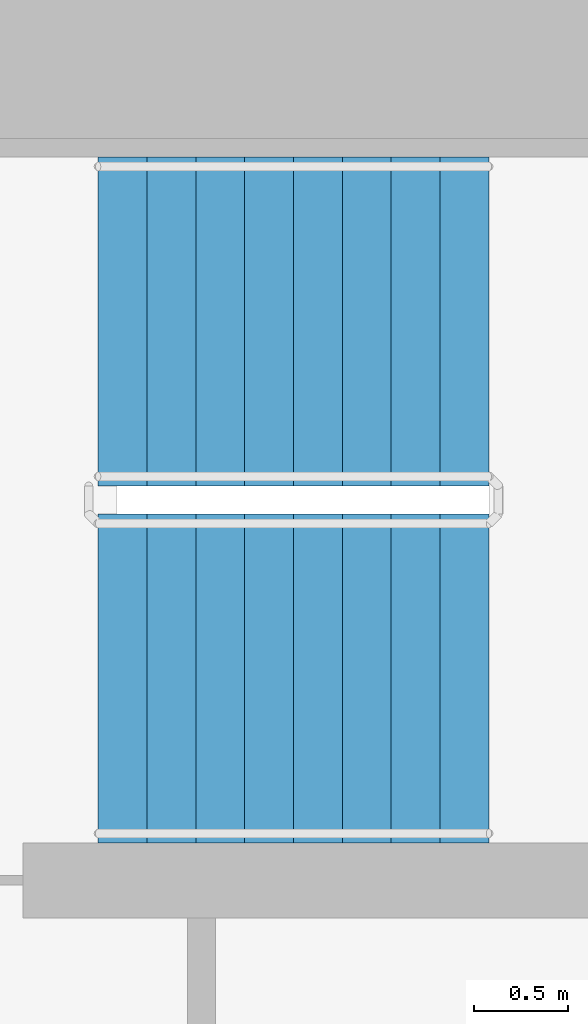
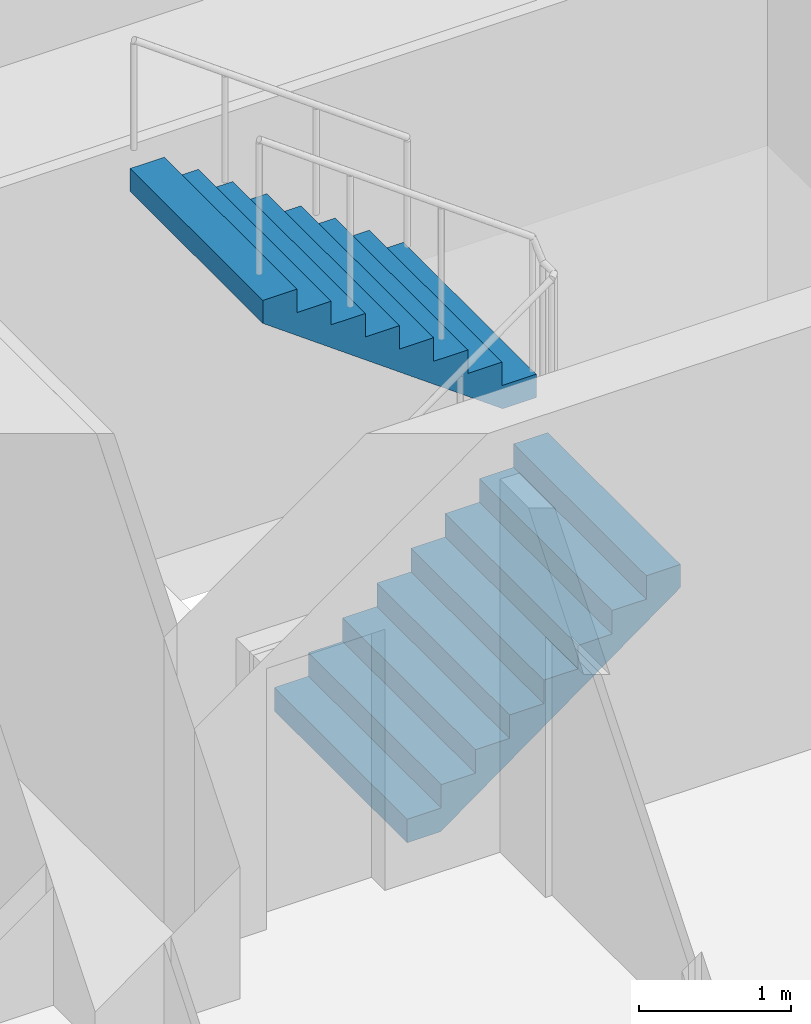
# One storey, part 18 of 23: 2 stair flights, 1 element without a shape of its own.
"""IFC4 building model written with IfcOpenShell, lengths in metres."""

from ifc_helpers import new_model, si_unit, direction, frame, origin, place, context, subcontext, project, spatial, faceted_brep, material, type_object, element, aggregate, save


model = new_model("IFC4")

# Units and contexts
model_context = context("Model", 3, precision=1e-05, world=origin(), true_north=direction((0.0, 1.0)))
body_context = subcontext(model_context, "Body", "Model", "MODEL_VIEW")
ifc_project = project(units=[si_unit("LENGTHUNIT", "METRE"), si_unit("AREAUNIT", "SQUARE_METRE"), si_unit("VOLUMEUNIT", "CUBIC_METRE"), si_unit("PLANEANGLEUNIT", "RADIAN"), si_unit("MASSUNIT", "GRAM", prefix="KILO")], contexts=[model_context])

# Site, building, storey
site_placement = place(None, origin())
site = spatial("IfcSite", under=ifc_project, at=site_placement, CompositionType="ELEMENT")
building_placement = place(site_placement, origin())
building = spatial("IfcBuilding", under=site, at=building_placement, Name="Ipe Terrace Towers", CompositionType="ELEMENT")
storey_placement = place(building_placement, frame((0.0, 0.0, 51.699951171875)))
storey = spatial("IfcBuildingStorey", under=building, at=storey_placement, Name="L13", CompositionType="ELEMENT", Elevation=51.699951171875)

# Stair, stair flights
ifc_material_1 = material(Name="Concrete C30/37", Category="concrete")
stair_type = type_object("IfcStairType", Name="Protected exit stair", PredefinedType="HALF_TURN_STAIR", material=ifc_material_1)
stair_placement = place(storey_placement, origin())
stair = element("IfcStair", 1, at=stair_placement, inside=storey, type_object=stair_type, Name="L13 Exit stair T1-C1", PredefinedType="HALF_TURN_STAIR")
ifc_material_2 = material(Name="Concrete C30/37", Category="concrete")
stair_flight_type = type_object("IfcStairFlightType", Name="Exit stair flight 1750", PredefinedType="STRAIGHT", material=ifc_material_2)
stair_flight_1_placement = place(storey_placement, frame((-26.300048828125, 2.77490234375, 0.0), z_axis=(0.0, 0.0, 1.0), x_axis=(1.0, 0.0, 0.0)))
stair_flight_1 = element("IfcStairFlight", 2, at=stair_flight_1_placement, type_object=stair_flight_type, Name="T1-ST1 flight 1", NumberOfRisers=9, NumberOfTreads=8, PredefinedType="STRAIGHT", RiserHeight=0.188888889, TreadLength=0.26, context=body_context, shape_type="Brep", body=[
    faceted_brep([(0.255126953125, -0.875, 0.0), (2.080078125, -0.875, 1.325927734375), (2.080078125, -0.875, 1.51123046875), (1.820068359375, -0.875, 1.51123046875), (1.820068359375, -0.875, 1.322265625), (1.56005859375, -0.875, 1.322265625), (1.56005859375, -0.875, 1.13330078125), (1.300048828125, -0.875, 1.13330078125), (1.300048828125, -0.875, 0.9443359375), (1.0400390625, -0.875, 0.9443359375), (1.0400390625, -0.875, 0.755615234375), (0.780029296875, -0.875, 0.755615234375), (0.780029296875, -0.875, 0.566650390625), (0.52001953125, -0.875, 0.566650390625), (0.52001953125, -0.875, 0.377685546875), (0.260009765625, -0.875, 0.377685546875), (0.260009765625, -0.875, 0.18896484375), (0.0, -0.875, 0.18896484375), (0.0, -0.875, 0.0), (0.0, 0.875, 0.0), (0.0, 0.875, 0.18896484375), (0.260009765625, 0.875, 0.18896484375), (0.260009765625, 0.875, 0.377685546875), (0.52001953125, 0.875, 0.377685546875), (0.52001953125, 0.875, 0.566650390625), (0.780029296875, 0.875, 0.566650390625), (0.780029296875, 0.875, 0.755615234375), (1.0400390625, 0.875, 0.755615234375), (1.0400390625, 0.875, 0.9443359375), (1.300048828125, 0.875, 0.9443359375), (1.300048828125, 0.875, 1.13330078125), (1.56005859375, 0.875, 1.13330078125), (1.56005859375, 0.875, 1.322265625), (1.820068359375, 0.875, 1.322265625), (1.820068359375, 0.875, 1.51123046875), (2.080078125, 0.875, 1.51123046875), (2.080078125, 0.875, 1.325927734375), (0.255126953125, 0.875, 0.0), (0.0, -0.300048828125, 0.18896484375), (0.0, -0.1201171875, 0.18896484375), (0.0, -0.06005859375, 0.18896484375), (0.0, -0.030029296875, 0.18896484375), (0.0, -0.010009765625, 0.18896484375), (0.0, 0.0, 0.18896484375), (0.0, 0.010009765625, 0.18896484375), (0.0, 0.030029296875, 0.18896484375), (0.0, 0.06005859375, 0.18896484375), (0.0, 0.1201171875, 0.18896484375), (0.0, 0.300048828125, 0.18896484375), (0.0, 0.300048828125, 0.0), (0.0, 0.1201171875, 0.0), (0.0, 0.06005859375, 0.0), (0.0, 0.030029296875, 0.0), (0.0, 0.010009765625, 0.0), (0.0, 0.0, 0.0), (0.0, -0.010009765625, 0.0), (0.0, -0.030029296875, 0.0), (0.0, -0.06005859375, 0.0), (0.0, -0.1201171875, 0.0), (0.0, -0.300048828125, 0.0), (0.260009765625, -0.300048828125, 0.18896484375), (0.260009765625, -0.1201171875, 0.18896484375), (0.260009765625, -0.06005859375, 0.18896484375), (0.260009765625, -0.030029296875, 0.18896484375), (0.260009765625, -0.010009765625, 0.18896484375), (0.260009765625, 0.0, 0.18896484375), (0.260009765625, 0.010009765625, 0.18896484375), (0.260009765625, 0.030029296875, 0.18896484375), (0.260009765625, 0.06005859375, 0.18896484375), (0.260009765625, 0.1201171875, 0.18896484375), (0.260009765625, 0.300048828125, 0.18896484375), (0.260009765625, -0.300048828125, 0.377685546875), (0.260009765625, -0.1201171875, 0.377685546875), (0.260009765625, -0.06005859375, 0.377685546875), (0.260009765625, -0.030029296875, 0.377685546875), (0.260009765625, -0.010009765625, 0.377685546875), (0.260009765625, 0.0, 0.377685546875), (0.260009765625, 0.010009765625, 0.377685546875), (0.260009765625, 0.030029296875, 0.377685546875), (0.260009765625, 0.06005859375, 0.377685546875), (0.260009765625, 0.1201171875, 0.377685546875), (0.260009765625, 0.300048828125, 0.377685546875), (0.52001953125, -0.300048828125, 0.377685546875), (0.52001953125, -0.1201171875, 0.377685546875), (0.52001953125, -0.06005859375, 0.377685546875), (0.52001953125, -0.030029296875, 0.377685546875), (0.52001953125, -0.010009765625, 0.377685546875), (0.52001953125, 0.0, 0.377685546875), (0.52001953125, 0.010009765625, 0.377685546875), (0.52001953125, 0.030029296875, 0.377685546875), (0.52001953125, 0.06005859375, 0.377685546875), (0.52001953125, 0.1201171875, 0.377685546875), (0.52001953125, 0.300048828125, 0.377685546875), (0.52001953125, -0.300048828125, 0.566650390625), (0.52001953125, -0.1201171875, 0.566650390625), (0.52001953125, -0.06005859375, 0.566650390625), (0.52001953125, -0.030029296875, 0.566650390625), (0.52001953125, -0.010009765625, 0.566650390625), (0.52001953125, 0.0, 0.566650390625), (0.52001953125, 0.010009765625, 0.566650390625), (0.52001953125, 0.030029296875, 0.566650390625), (0.52001953125, 0.06005859375, 0.566650390625), (0.52001953125, 0.1201171875, 0.566650390625), (0.52001953125, 0.300048828125, 0.566650390625), (0.780029296875, -0.300048828125, 0.566650390625), (0.780029296875, -0.1201171875, 0.566650390625), (0.780029296875, -0.06005859375, 0.566650390625), (0.780029296875, -0.030029296875, 0.566650390625), (0.780029296875, -0.010009765625, 0.566650390625), (0.780029296875, 0.0, 0.566650390625), (0.780029296875, 0.010009765625, 0.566650390625), (0.780029296875, 0.030029296875, 0.566650390625), (0.780029296875, 0.06005859375, 0.566650390625), (0.780029296875, 0.1201171875, 0.566650390625), (0.780029296875, 0.300048828125, 0.566650390625), (0.780029296875, -0.300048828125, 0.755615234375), (0.780029296875, -0.1201171875, 0.755615234375), (0.780029296875, -0.06005859375, 0.755615234375), (0.780029296875, -0.030029296875, 0.755615234375), (0.780029296875, -0.010009765625, 0.755615234375), (0.780029296875, 0.0, 0.755615234375), (0.780029296875, 0.010009765625, 0.755615234375), (0.780029296875, 0.030029296875, 0.755615234375), (0.780029296875, 0.06005859375, 0.755615234375), (0.780029296875, 0.1201171875, 0.755615234375), (0.780029296875, 0.300048828125, 0.755615234375), (1.0400390625, -0.300048828125, 0.755615234375), (1.0400390625, -0.1201171875, 0.755615234375), (1.0400390625, -0.06005859375, 0.755615234375), (1.0400390625, -0.030029296875, 0.755615234375), (1.0400390625, -0.010009765625, 0.755615234375), (1.0400390625, 0.0, 0.755615234375), (1.0400390625, 0.010009765625, 0.755615234375), (1.0400390625, 0.030029296875, 0.755615234375), (1.0400390625, 0.06005859375, 0.755615234375), (1.0400390625, 0.1201171875, 0.755615234375), (1.0400390625, 0.300048828125, 0.755615234375), (1.0400390625, -0.300048828125, 0.9443359375), (1.0400390625, -0.1201171875, 0.9443359375), (1.0400390625, -0.06005859375, 0.9443359375), (1.0400390625, -0.030029296875, 0.9443359375), (1.0400390625, -0.010009765625, 0.9443359375), (1.0400390625, 0.0, 0.9443359375), (1.0400390625, 0.010009765625, 0.9443359375), (1.0400390625, 0.030029296875, 0.9443359375), (1.0400390625, 0.06005859375, 0.9443359375), (1.0400390625, 0.1201171875, 0.9443359375), (1.0400390625, 0.300048828125, 0.9443359375), (1.300048828125, -0.300048828125, 0.9443359375), (1.300048828125, -0.1201171875, 0.9443359375), (1.300048828125, -0.06005859375, 0.9443359375), (1.300048828125, -0.030029296875, 0.9443359375), (1.300048828125, -0.010009765625, 0.9443359375), (1.300048828125, 0.0, 0.9443359375), (1.300048828125, 0.010009765625, 0.9443359375), (1.300048828125, 0.030029296875, 0.9443359375), (1.300048828125, 0.06005859375, 0.9443359375), (1.300048828125, 0.1201171875, 0.9443359375), (1.300048828125, 0.300048828125, 0.9443359375), (1.300048828125, -0.300048828125, 1.13330078125), (1.300048828125, -0.1201171875, 1.13330078125), (1.300048828125, -0.06005859375, 1.13330078125), (1.300048828125, -0.030029296875, 1.13330078125), (1.300048828125, -0.010009765625, 1.13330078125), (1.300048828125, 0.0, 1.13330078125), (1.300048828125, 0.010009765625, 1.13330078125), (1.300048828125, 0.030029296875, 1.13330078125), (1.300048828125, 0.06005859375, 1.13330078125), (1.300048828125, 0.1201171875, 1.13330078125), (1.300048828125, 0.300048828125, 1.13330078125), (1.56005859375, -0.300048828125, 1.13330078125), (1.56005859375, -0.1201171875, 1.13330078125), (1.56005859375, -0.06005859375, 1.13330078125), (1.56005859375, -0.030029296875, 1.13330078125), (1.56005859375, -0.010009765625, 1.13330078125), (1.56005859375, 0.0, 1.13330078125), (1.56005859375, 0.010009765625, 1.13330078125), (1.56005859375, 0.030029296875, 1.13330078125), (1.56005859375, 0.06005859375, 1.13330078125), (1.56005859375, 0.1201171875, 1.13330078125), (1.56005859375, 0.300048828125, 1.13330078125), (1.56005859375, -0.300048828125, 1.322265625), (1.56005859375, -0.1201171875, 1.322265625), (1.56005859375, -0.06005859375, 1.322265625), (1.56005859375, -0.030029296875, 1.322265625), (1.56005859375, -0.010009765625, 1.322265625), (1.56005859375, 0.0, 1.322265625), (1.56005859375, 0.010009765625, 1.322265625), (1.56005859375, 0.030029296875, 1.322265625), (1.56005859375, 0.06005859375, 1.322265625), (1.56005859375, 0.1201171875, 1.322265625), (1.56005859375, 0.300048828125, 1.322265625), (1.820068359375, -0.300048828125, 1.322265625), (1.820068359375, -0.1201171875, 1.322265625), (1.820068359375, -0.06005859375, 1.322265625), (1.820068359375, -0.030029296875, 1.322265625), (1.820068359375, -0.010009765625, 1.322265625), (1.820068359375, 0.0, 1.322265625), (1.820068359375, 0.010009765625, 1.322265625), (1.820068359375, 0.030029296875, 1.322265625), (1.820068359375, 0.06005859375, 1.322265625), (1.820068359375, 0.1201171875, 1.322265625), (1.820068359375, 0.300048828125, 1.322265625), (1.820068359375, -0.300048828125, 1.51123046875), (1.820068359375, -0.1201171875, 1.51123046875), (1.820068359375, -0.06005859375, 1.51123046875), (1.820068359375, -0.030029296875, 1.51123046875), (1.820068359375, -0.010009765625, 1.51123046875), (1.820068359375, 0.0, 1.51123046875), (1.820068359375, 0.010009765625, 1.51123046875), (1.820068359375, 0.030029296875, 1.51123046875), (1.820068359375, 0.06005859375, 1.51123046875), (1.820068359375, 0.1201171875, 1.51123046875), (1.820068359375, 0.300048828125, 1.51123046875), (2.080078125, -0.300048828125, 1.51123046875), (2.080078125, -0.1201171875, 1.51123046875), (2.080078125, -0.06005859375, 1.51123046875), (2.080078125, -0.030029296875, 1.51123046875), (2.080078125, -0.010009765625, 1.51123046875), (2.080078125, 0.0, 1.51123046875), (2.080078125, 0.010009765625, 1.51123046875), (2.080078125, 0.030029296875, 1.51123046875), (2.080078125, 0.06005859375, 1.51123046875), (2.080078125, 0.1201171875, 1.51123046875), (2.080078125, 0.300048828125, 1.51123046875), (2.080078125, -0.300048828125, 1.325927734375), (2.080078125, -0.1201171875, 1.325927734375), (2.080078125, -0.06005859375, 1.325927734375), (2.080078125, -0.030029296875, 1.325927734375), (2.080078125, -0.010009765625, 1.325927734375), (2.080078125, 0.0, 1.325927734375), (2.080078125, 0.010009765625, 1.325927734375), (2.080078125, 0.030029296875, 1.325927734375), (2.080078125, 0.06005859375, 1.325927734375), (2.080078125, 0.1201171875, 1.325927734375), (2.080078125, 0.300048828125, 1.325927734375), (0.255126953125, -0.300048828125, 0.0), (0.255126953125, -0.1201171875, 0.0), (0.255126953125, -0.06005859375, 0.0), (0.255126953125, -0.030029296875, 0.0), (0.255126953125, -0.010009765625, 0.0), (0.255126953125, 0.0, 0.0), (0.255126953125, 0.010009765625, 0.0), (0.255126953125, 0.030029296875, 0.0), (0.255126953125, 0.06005859375, 0.0), (0.255126953125, 0.1201171875, 0.0), (0.255126953125, 0.300048828125, 0.0)], [[[0, 1, 2, 3, 4, 5, 6, 7, 8, 9, 10, 11, 12, 13, 14, 15, 16, 17, 18]], [[19, 20, 21, 22, 23, 24, 25, 26, 27, 28, 29, 30, 31, 32, 33, 34, 35, 36, 37]], [[17, 38, 39, 40, 41, 42, 43, 44, 45, 46, 47, 48, 20, 19, 49, 50, 51, 52, 53, 54, 55, 56, 57, 58, 59, 18]], [[16, 60, 61, 62, 63, 64, 65, 66, 67, 68, 69, 70, 21, 20, 48, 47, 46, 45, 44, 43, 42, 41, 40, 39, 38, 17]], [[15, 71, 72, 73, 74, 75, 76, 77, 78, 79, 80, 81, 22, 21, 70, 69, 68, 67, 66, 65, 64, 63, 62, 61, 60, 16]], [[14, 82, 83, 84, 85, 86, 87, 88, 89, 90, 91, 92, 23, 22, 81, 80, 79, 78, 77, 76, 75, 74, 73, 72, 71, 15]], [[13, 93, 94, 95, 96, 97, 98, 99, 100, 101, 102, 103, 24, 23, 92, 91, 90, 89, 88, 87, 86, 85, 84, 83, 82, 14]], [[12, 104, 105, 106, 107, 108, 109, 110, 111, 112, 113, 114, 25, 24, 103, 102, 101, 100, 99, 98, 97, 96, 95, 94, 93, 13]], [[11, 115, 116, 117, 118, 119, 120, 121, 122, 123, 124, 125, 26, 25, 114, 113, 112, 111, 110, 109, 108, 107, 106, 105, 104, 12]], [[10, 126, 127, 128, 129, 130, 131, 132, 133, 134, 135, 136, 27, 26, 125, 124, 123, 122, 121, 120, 119, 118, 117, 116, 115, 11]], [[9, 137, 138, 139, 140, 141, 142, 143, 144, 145, 146, 147, 28, 27, 136, 135, 134, 133, 132, 131, 130, 129, 128, 127, 126, 10]], [[8, 148, 149, 150, 151, 152, 153, 154, 155, 156, 157, 158, 29, 28, 147, 146, 145, 144, 143, 142, 141, 140, 139, 138, 137, 9]], [[7, 159, 160, 161, 162, 163, 164, 165, 166, 167, 168, 169, 30, 29, 158, 157, 156, 155, 154, 153, 152, 151, 150, 149, 148, 8]], [[6, 170, 171, 172, 173, 174, 175, 176, 177, 178, 179, 180, 31, 30, 169, 168, 167, 166, 165, 164, 163, 162, 161, 160, 159, 7]], [[5, 181, 182, 183, 184, 185, 186, 187, 188, 189, 190, 191, 32, 31, 180, 179, 178, 177, 176, 175, 174, 173, 172, 171, 170, 6]], [[4, 192, 193, 194, 195, 196, 197, 198, 199, 200, 201, 202, 33, 32, 191, 190, 189, 188, 187, 186, 185, 184, 183, 182, 181, 5]], [[3, 203, 204, 205, 206, 207, 208, 209, 210, 211, 212, 213, 34, 33, 202, 201, 200, 199, 198, 197, 196, 195, 194, 193, 192, 4]], [[2, 214, 215, 216, 217, 218, 219, 220, 221, 222, 223, 224, 35, 34, 213, 212, 211, 210, 209, 208, 207, 206, 205, 204, 203, 3]], [[1, 225, 226, 227, 228, 229, 230, 231, 232, 233, 234, 235, 36, 35, 224, 223, 222, 221, 220, 219, 218, 217, 216, 215, 214, 2]], [[0, 236, 237, 238, 239, 240, 241, 242, 243, 244, 245, 246, 37, 36, 235, 234, 233, 232, 231, 230, 229, 228, 227, 226, 225, 1]], [[18, 59, 58, 57, 56, 55, 54, 53, 52, 51, 50, 49, 19, 37, 246, 245, 244, 243, 242, 241, 240, 239, 238, 237, 236, 0]]]),
])
stair_flight_2_placement = place(storey_placement, frame((-24.219970703125, 4.675048828125, 1.699951171875), z_axis=(0.0, 0.0, 1.0), x_axis=(-1.0, 0.0, 0.0)))
stair_flight_2 = element("IfcStairFlight", 3, at=stair_flight_2_placement, type_object=stair_flight_type, Name="T1-ST1 flight 2", NumberOfRisers=9, NumberOfTreads=8, PredefinedType="STRAIGHT", RiserHeight=0.188888889, TreadLength=0.26, context=body_context, shape_type="Brep", body=[
    faceted_brep([(0.255126953125, -0.875, 0.0), (2.080078125, -0.875, 1.325927734375), (2.080078125, -0.875, 1.51123046875), (1.820068359375, -0.875, 1.51123046875), (1.820068359375, -0.875, 1.322265625), (1.56005859375, -0.875, 1.322265625), (1.56005859375, -0.875, 1.13330078125), (1.300048828125, -0.875, 1.13330078125), (1.300048828125, -0.875, 0.9443359375), (1.0400390625, -0.875, 0.9443359375), (1.0400390625, -0.875, 0.755615234375), (0.780029296875, -0.875, 0.755615234375), (0.780029296875, -0.875, 0.566650390625), (0.52001953125, -0.875, 0.566650390625), (0.52001953125, -0.875, 0.377685546875), (0.260009765625, -0.875, 0.377685546875), (0.260009765625, -0.875, 0.18896484375), (0.0, -0.875, 0.18896484375), (0.0, -0.875, 0.0), (0.0, 0.875, 0.0), (0.0, 0.875, 0.18896484375), (0.260009765625, 0.875, 0.18896484375), (0.260009765625, 0.875, 0.377685546875), (0.52001953125, 0.875, 0.377685546875), (0.52001953125, 0.875, 0.566650390625), (0.780029296875, 0.875, 0.566650390625), (0.780029296875, 0.875, 0.755615234375), (1.0400390625, 0.875, 0.755615234375), (1.0400390625, 0.875, 0.9443359375), (1.300048828125, 0.875, 0.9443359375), (1.300048828125, 0.875, 1.13330078125), (1.56005859375, 0.875, 1.13330078125), (1.56005859375, 0.875, 1.322265625), (1.820068359375, 0.875, 1.322265625), (1.820068359375, 0.875, 1.51123046875), (2.080078125, 0.875, 1.51123046875), (2.080078125, 0.875, 1.325927734375), (0.255126953125, 0.875, 0.0), (0.0, -0.300048828125, 0.18896484375), (0.0, -0.1201171875, 0.18896484375), (0.0, -0.06005859375, 0.18896484375), (0.0, -0.030029296875, 0.18896484375), (0.0, -0.010009765625, 0.18896484375), (0.0, 0.0, 0.18896484375), (0.0, 0.010009765625, 0.18896484375), (0.0, 0.030029296875, 0.18896484375), (0.0, 0.06005859375, 0.18896484375), (0.0, 0.1201171875, 0.18896484375), (0.0, 0.300048828125, 0.18896484375), (0.0, 0.300048828125, 0.0), (0.0, 0.1201171875, 0.0), (0.0, 0.06005859375, 0.0), (0.0, 0.030029296875, 0.0), (0.0, 0.010009765625, 0.0), (0.0, 0.0, 0.0), (0.0, -0.010009765625, 0.0), (0.0, -0.030029296875, 0.0), (0.0, -0.06005859375, 0.0), (0.0, -0.1201171875, 0.0), (0.0, -0.300048828125, 0.0), (0.260009765625, -0.300048828125, 0.18896484375), (0.260009765625, -0.1201171875, 0.18896484375), (0.260009765625, -0.06005859375, 0.18896484375), (0.260009765625, -0.030029296875, 0.18896484375), (0.260009765625, -0.010009765625, 0.18896484375), (0.260009765625, 0.0, 0.18896484375), (0.260009765625, 0.010009765625, 0.18896484375), (0.260009765625, 0.030029296875, 0.18896484375), (0.260009765625, 0.06005859375, 0.18896484375), (0.260009765625, 0.1201171875, 0.18896484375), (0.260009765625, 0.300048828125, 0.18896484375), (0.260009765625, -0.300048828125, 0.377685546875), (0.260009765625, -0.1201171875, 0.377685546875), (0.260009765625, -0.06005859375, 0.377685546875), (0.260009765625, -0.030029296875, 0.377685546875), (0.260009765625, -0.010009765625, 0.377685546875), (0.260009765625, 0.0, 0.377685546875), (0.260009765625, 0.010009765625, 0.377685546875), (0.260009765625, 0.030029296875, 0.377685546875), (0.260009765625, 0.06005859375, 0.377685546875), (0.260009765625, 0.1201171875, 0.377685546875), (0.260009765625, 0.300048828125, 0.377685546875), (0.52001953125, -0.300048828125, 0.377685546875), (0.52001953125, -0.1201171875, 0.377685546875), (0.52001953125, -0.06005859375, 0.377685546875), (0.52001953125, -0.030029296875, 0.377685546875), (0.52001953125, -0.010009765625, 0.377685546875), (0.52001953125, 0.0, 0.377685546875), (0.52001953125, 0.010009765625, 0.377685546875), (0.52001953125, 0.030029296875, 0.377685546875), (0.52001953125, 0.06005859375, 0.377685546875), (0.52001953125, 0.1201171875, 0.377685546875), (0.52001953125, 0.300048828125, 0.377685546875), (0.52001953125, -0.300048828125, 0.566650390625), (0.52001953125, -0.1201171875, 0.566650390625), (0.52001953125, -0.06005859375, 0.566650390625), (0.52001953125, -0.030029296875, 0.566650390625), (0.52001953125, -0.010009765625, 0.566650390625), (0.52001953125, 0.0, 0.566650390625), (0.52001953125, 0.010009765625, 0.566650390625), (0.52001953125, 0.030029296875, 0.566650390625), (0.52001953125, 0.06005859375, 0.566650390625), (0.52001953125, 0.1201171875, 0.566650390625), (0.52001953125, 0.300048828125, 0.566650390625), (0.780029296875, -0.300048828125, 0.566650390625), (0.780029296875, -0.1201171875, 0.566650390625), (0.780029296875, -0.06005859375, 0.566650390625), (0.780029296875, -0.030029296875, 0.566650390625), (0.780029296875, -0.010009765625, 0.566650390625), (0.780029296875, 0.0, 0.566650390625), (0.780029296875, 0.010009765625, 0.566650390625), (0.780029296875, 0.030029296875, 0.566650390625), (0.780029296875, 0.06005859375, 0.566650390625), (0.780029296875, 0.1201171875, 0.566650390625), (0.780029296875, 0.300048828125, 0.566650390625), (0.780029296875, -0.300048828125, 0.755615234375), (0.780029296875, -0.1201171875, 0.755615234375), (0.780029296875, -0.06005859375, 0.755615234375), (0.780029296875, -0.030029296875, 0.755615234375), (0.780029296875, -0.010009765625, 0.755615234375), (0.780029296875, 0.0, 0.755615234375), (0.780029296875, 0.010009765625, 0.755615234375), (0.780029296875, 0.030029296875, 0.755615234375), (0.780029296875, 0.06005859375, 0.755615234375), (0.780029296875, 0.1201171875, 0.755615234375), (0.780029296875, 0.300048828125, 0.755615234375), (1.0400390625, -0.300048828125, 0.755615234375), (1.0400390625, -0.1201171875, 0.755615234375), (1.0400390625, -0.06005859375, 0.755615234375), (1.0400390625, -0.030029296875, 0.755615234375), (1.0400390625, -0.010009765625, 0.755615234375), (1.0400390625, 0.0, 0.755615234375), (1.0400390625, 0.010009765625, 0.755615234375), (1.0400390625, 0.030029296875, 0.755615234375), (1.0400390625, 0.06005859375, 0.755615234375), (1.0400390625, 0.1201171875, 0.755615234375), (1.0400390625, 0.300048828125, 0.755615234375), (1.0400390625, -0.300048828125, 0.9443359375), (1.0400390625, -0.1201171875, 0.9443359375), (1.0400390625, -0.06005859375, 0.9443359375), (1.0400390625, -0.030029296875, 0.9443359375), (1.0400390625, -0.010009765625, 0.9443359375), (1.0400390625, 0.0, 0.9443359375), (1.0400390625, 0.010009765625, 0.9443359375), (1.0400390625, 0.030029296875, 0.9443359375), (1.0400390625, 0.06005859375, 0.9443359375), (1.0400390625, 0.1201171875, 0.9443359375), (1.0400390625, 0.300048828125, 0.9443359375), (1.300048828125, -0.300048828125, 0.9443359375), (1.300048828125, -0.1201171875, 0.9443359375), (1.300048828125, -0.06005859375, 0.9443359375), (1.300048828125, -0.030029296875, 0.9443359375), (1.300048828125, -0.010009765625, 0.9443359375), (1.300048828125, 0.0, 0.9443359375), (1.300048828125, 0.010009765625, 0.9443359375), (1.300048828125, 0.030029296875, 0.9443359375), (1.300048828125, 0.06005859375, 0.9443359375), (1.300048828125, 0.1201171875, 0.9443359375), (1.300048828125, 0.300048828125, 0.9443359375), (1.300048828125, -0.300048828125, 1.13330078125), (1.300048828125, -0.1201171875, 1.13330078125), (1.300048828125, -0.06005859375, 1.13330078125), (1.300048828125, -0.030029296875, 1.13330078125), (1.300048828125, -0.010009765625, 1.13330078125), (1.300048828125, 0.0, 1.13330078125), (1.300048828125, 0.010009765625, 1.13330078125), (1.300048828125, 0.030029296875, 1.13330078125), (1.300048828125, 0.06005859375, 1.13330078125), (1.300048828125, 0.1201171875, 1.13330078125), (1.300048828125, 0.300048828125, 1.13330078125), (1.56005859375, -0.300048828125, 1.13330078125), (1.56005859375, -0.1201171875, 1.13330078125), (1.56005859375, -0.06005859375, 1.13330078125), (1.56005859375, -0.030029296875, 1.13330078125), (1.56005859375, -0.010009765625, 1.13330078125), (1.56005859375, 0.0, 1.13330078125), (1.56005859375, 0.010009765625, 1.13330078125), (1.56005859375, 0.030029296875, 1.13330078125), (1.56005859375, 0.06005859375, 1.13330078125), (1.56005859375, 0.1201171875, 1.13330078125), (1.56005859375, 0.300048828125, 1.13330078125), (1.56005859375, -0.300048828125, 1.322265625), (1.56005859375, -0.1201171875, 1.322265625), (1.56005859375, -0.06005859375, 1.322265625), (1.56005859375, -0.030029296875, 1.322265625), (1.56005859375, -0.010009765625, 1.322265625), (1.56005859375, 0.0, 1.322265625), (1.56005859375, 0.010009765625, 1.322265625), (1.56005859375, 0.030029296875, 1.322265625), (1.56005859375, 0.06005859375, 1.322265625), (1.56005859375, 0.1201171875, 1.322265625), (1.56005859375, 0.300048828125, 1.322265625), (1.820068359375, -0.300048828125, 1.322265625), (1.820068359375, -0.1201171875, 1.322265625), (1.820068359375, -0.06005859375, 1.322265625), (1.820068359375, -0.030029296875, 1.322265625), (1.820068359375, -0.010009765625, 1.322265625), (1.820068359375, 0.0, 1.322265625), (1.820068359375, 0.010009765625, 1.322265625), (1.820068359375, 0.030029296875, 1.322265625), (1.820068359375, 0.06005859375, 1.322265625), (1.820068359375, 0.1201171875, 1.322265625), (1.820068359375, 0.300048828125, 1.322265625), (1.820068359375, -0.300048828125, 1.51123046875), (1.820068359375, -0.1201171875, 1.51123046875), (1.820068359375, -0.06005859375, 1.51123046875), (1.820068359375, -0.030029296875, 1.51123046875), (1.820068359375, -0.010009765625, 1.51123046875), (1.820068359375, 0.0, 1.51123046875), (1.820068359375, 0.010009765625, 1.51123046875), (1.820068359375, 0.030029296875, 1.51123046875), (1.820068359375, 0.06005859375, 1.51123046875), (1.820068359375, 0.1201171875, 1.51123046875), (1.820068359375, 0.300048828125, 1.51123046875), (2.080078125, -0.300048828125, 1.51123046875), (2.080078125, -0.1201171875, 1.51123046875), (2.080078125, -0.06005859375, 1.51123046875), (2.080078125, -0.030029296875, 1.51123046875), (2.080078125, -0.010009765625, 1.51123046875), (2.080078125, 0.0, 1.51123046875), (2.080078125, 0.010009765625, 1.51123046875), (2.080078125, 0.030029296875, 1.51123046875), (2.080078125, 0.06005859375, 1.51123046875), (2.080078125, 0.1201171875, 1.51123046875), (2.080078125, 0.300048828125, 1.51123046875), (2.080078125, -0.300048828125, 1.325927734375), (2.080078125, -0.1201171875, 1.325927734375), (2.080078125, -0.06005859375, 1.325927734375), (2.080078125, -0.030029296875, 1.325927734375), (2.080078125, -0.010009765625, 1.325927734375), (2.080078125, 0.0, 1.325927734375), (2.080078125, 0.010009765625, 1.325927734375), (2.080078125, 0.030029296875, 1.325927734375), (2.080078125, 0.06005859375, 1.325927734375), (2.080078125, 0.1201171875, 1.325927734375), (2.080078125, 0.300048828125, 1.325927734375), (0.255126953125, -0.300048828125, 0.0), (0.255126953125, -0.1201171875, 0.0), (0.255126953125, -0.06005859375, 0.0), (0.255126953125, -0.030029296875, 0.0), (0.255126953125, -0.010009765625, 0.0), (0.255126953125, 0.0, 0.0), (0.255126953125, 0.010009765625, 0.0), (0.255126953125, 0.030029296875, 0.0), (0.255126953125, 0.06005859375, 0.0), (0.255126953125, 0.1201171875, 0.0), (0.255126953125, 0.300048828125, 0.0)], [[[0, 1, 2, 3, 4, 5, 6, 7, 8, 9, 10, 11, 12, 13, 14, 15, 16, 17, 18]], [[19, 20, 21, 22, 23, 24, 25, 26, 27, 28, 29, 30, 31, 32, 33, 34, 35, 36, 37]], [[17, 38, 39, 40, 41, 42, 43, 44, 45, 46, 47, 48, 20, 19, 49, 50, 51, 52, 53, 54, 55, 56, 57, 58, 59, 18]], [[16, 60, 61, 62, 63, 64, 65, 66, 67, 68, 69, 70, 21, 20, 48, 47, 46, 45, 44, 43, 42, 41, 40, 39, 38, 17]], [[15, 71, 72, 73, 74, 75, 76, 77, 78, 79, 80, 81, 22, 21, 70, 69, 68, 67, 66, 65, 64, 63, 62, 61, 60, 16]], [[14, 82, 83, 84, 85, 86, 87, 88, 89, 90, 91, 92, 23, 22, 81, 80, 79, 78, 77, 76, 75, 74, 73, 72, 71, 15]], [[13, 93, 94, 95, 96, 97, 98, 99, 100, 101, 102, 103, 24, 23, 92, 91, 90, 89, 88, 87, 86, 85, 84, 83, 82, 14]], [[12, 104, 105, 106, 107, 108, 109, 110, 111, 112, 113, 114, 25, 24, 103, 102, 101, 100, 99, 98, 97, 96, 95, 94, 93, 13]], [[11, 115, 116, 117, 118, 119, 120, 121, 122, 123, 124, 125, 26, 25, 114, 113, 112, 111, 110, 109, 108, 107, 106, 105, 104, 12]], [[10, 126, 127, 128, 129, 130, 131, 132, 133, 134, 135, 136, 27, 26, 125, 124, 123, 122, 121, 120, 119, 118, 117, 116, 115, 11]], [[9, 137, 138, 139, 140, 141, 142, 143, 144, 145, 146, 147, 28, 27, 136, 135, 134, 133, 132, 131, 130, 129, 128, 127, 126, 10]], [[8, 148, 149, 150, 151, 152, 153, 154, 155, 156, 157, 158, 29, 28, 147, 146, 145, 144, 143, 142, 141, 140, 139, 138, 137, 9]], [[7, 159, 160, 161, 162, 163, 164, 165, 166, 167, 168, 169, 30, 29, 158, 157, 156, 155, 154, 153, 152, 151, 150, 149, 148, 8]], [[6, 170, 171, 172, 173, 174, 175, 176, 177, 178, 179, 180, 31, 30, 169, 168, 167, 166, 165, 164, 163, 162, 161, 160, 159, 7]], [[5, 181, 182, 183, 184, 185, 186, 187, 188, 189, 190, 191, 32, 31, 180, 179, 178, 177, 176, 175, 174, 173, 172, 171, 170, 6]], [[4, 192, 193, 194, 195, 196, 197, 198, 199, 200, 201, 202, 33, 32, 191, 190, 189, 188, 187, 186, 185, 184, 183, 182, 181, 5]], [[3, 203, 204, 205, 206, 207, 208, 209, 210, 211, 212, 213, 34, 33, 202, 201, 200, 199, 198, 197, 196, 195, 194, 193, 192, 4]], [[2, 214, 215, 216, 217, 218, 219, 220, 221, 222, 223, 224, 35, 34, 213, 212, 211, 210, 209, 208, 207, 206, 205, 204, 203, 3]], [[1, 225, 226, 227, 228, 229, 230, 231, 232, 233, 234, 235, 36, 35, 224, 223, 222, 221, 220, 219, 218, 217, 216, 215, 214, 2]], [[0, 236, 237, 238, 239, 240, 241, 242, 243, 244, 245, 246, 37, 36, 235, 234, 233, 232, 231, 230, 229, 228, 227, 226, 225, 1]], [[18, 59, 58, 57, 56, 55, 54, 53, 52, 51, 50, 49, 19, 37, 246, 245, 244, 243, 242, 241, 240, 239, 238, 237, 236, 0]]]),
])
aggregate(stair, [stair_flight_1, stair_flight_2])

save(model, "model.ifc")
